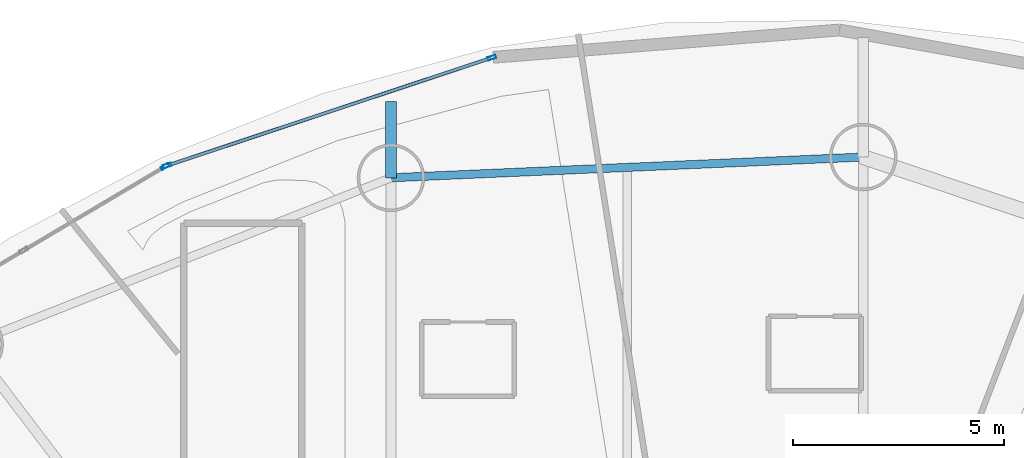
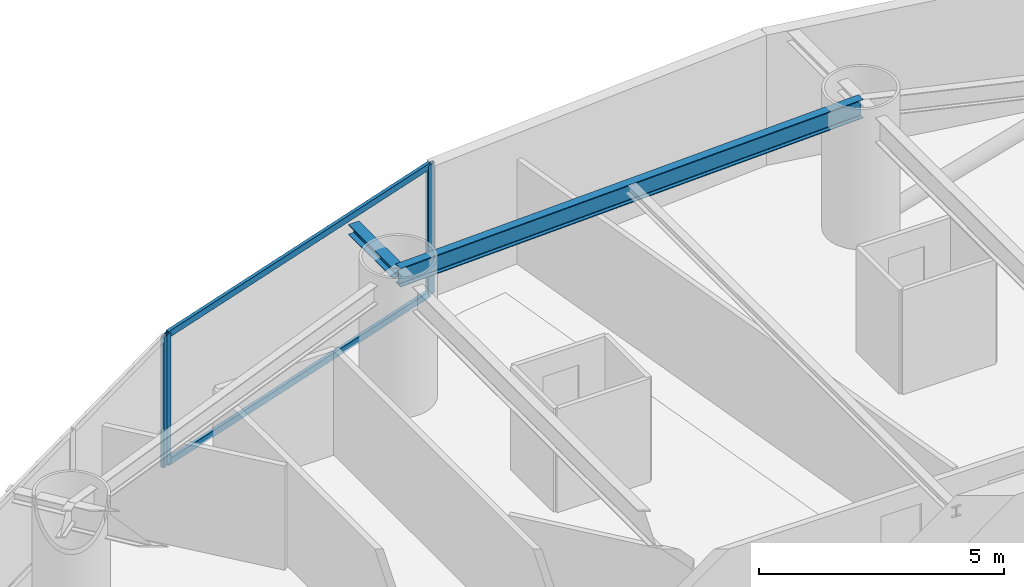
# One storey, part 14 of 25: 5 members, 2 beams, 2 elements without a shape of their own.
"""IFC4 building model written with IfcOpenShell, lengths in metres."""

from ifc_helpers import new_model, si_unit, direction, frame, origin, origin_2d, place, context, subcontext, project, spatial, hollow_rectangle, i_section, extrude, material, layer, layer_set, material_profile, profile_set, type_object, element, aggregate, save


model = new_model("IFC4")

# Units and contexts
model_context = context("Model", 3, precision=1e-05, world=origin(), true_north=direction((0.0, 1.0)))
body_context = subcontext(model_context, "Body", "Model", "MODEL_VIEW")
ifc_project = project(units=[si_unit("LENGTHUNIT", "METRE"), si_unit("AREAUNIT", "SQUARE_METRE"), si_unit("VOLUMEUNIT", "CUBIC_METRE"), si_unit("PLANEANGLEUNIT", "RADIAN"), si_unit("MASSUNIT", "GRAM", prefix="KILO")], contexts=[model_context])

# Site, building, storey
site_placement = place(None, origin())
site = spatial("IfcSite", under=ifc_project, at=site_placement, CompositionType="ELEMENT")
building_placement = place(site_placement, origin())
building = spatial("IfcBuilding", under=site, at=building_placement, Name="Bramvorn Convention Spire", CompositionType="ELEMENT")
storey_placement = place(building_placement, frame((0.0, 0.0, 48.39990234375)))
storey = spatial("IfcBuildingStorey", under=building, at=storey_placement, Name="L09", CompositionType="ELEMENT", Elevation=48.39990234375)

# Beams
ifc_material_1 = material(Name="Steel CSA G40.21 Grade 350 (350W)", Category="steel")
ifc_material_profile_1 = material_profile(ifc_material_1, i_section(OverallWidth=0.25390625, OverallDepth=0.2529296875, WebThickness=0.008544921875, FlangeThickness=0.01416015625, FilletRadius=0.011962890625, at=origin_2d()))
ifc_profile_set_1 = profile_set([ifc_material_profile_1], Name="Steel CSA G40.21 Grade 350 (350W) - W250X73")
beam_type_1 = type_object("IfcBeamType", Name="BM-W250X73", PredefinedType="BEAM", material=ifc_profile_set_1)
beam_1_placement = place(storey_placement, frame((29.76220703125, 46.57666015625, 3.108642578125), z_axis=(0.0, 1.0, 0.0), x_axis=(-1.0, 0.0, 0.0)))
element("IfcBeam", 1, at=beam_1_placement, inside=storey, type_object=beam_type_1, Name="L09 slab-edge cantilever tip beam MC06", PredefinedType="BEAM", context=body_context, shape_type="SweptSolid", body=[
    extrude(i_section(OverallWidth=0.25390625, OverallDepth=0.2529296875, WebThickness=0.008544921875, FlangeThickness=0.01416015625, FilletRadius=0.011962890625, at=origin_2d()), origin(), (0.0, 0.0, 1.0), 1.812744140625),
])
ifc_material_profile_2 = material_profile(ifc_material_1, i_section(OverallWidth=0.194091796875, OverallDepth=0.468994140625, WebThickness=0.0126953125, FlangeThickness=0.0205078125, FilletRadius=0.01806640625, at=origin_2d()))
ifc_profile_set_2 = profile_set([ifc_material_profile_2], Name="Steel CSA G40.21 Grade 350 (350W) - W460X106")
beam_type_2 = type_object("IfcBeamType", Name="BM-W460X106", PredefinedType="SPANDREL", material=ifc_profile_set_2)
beam_2_placement = place(storey_placement, frame((40.9609375, 47.06884765625, 3.015625), z_axis=(-0.999035582762, -0.043907907889, 0.0), x_axis=(0.043907907889, -0.999035582762, 0.0)))
element("IfcBeam", 2, at=beam_2_placement, inside=storey, type_object=beam_type_2, Name="L09 mega-column ring beam 05", PredefinedType="SPANDREL", context=body_context, shape_type="SweptSolid", body=[
    extrude(i_section(OverallWidth=0.194091796875, OverallDepth=0.468994140625, WebThickness=0.0126953125, FlangeThickness=0.0205078125, FilletRadius=0.01806640625, at=origin_2d()), origin(), (0.0, 0.0, 1.0), 11.20947265625),
])

# Curtain wall, members
ifc_material_2 = material(Name="Anodised Bronze Unitised Curtain Wall", Category="aluminium")
ifc_layer = layer(ifc_material_2, 0.179931640625)
ifc_layer_set = layer_set([ifc_layer], Name="Anodised Bronze Unitised Curtain Wall - CW-HTL-FRIT")
curtain_wall_type = type_object("IfcCurtainWallType", Name="CW-HTL-FRIT", PredefinedType="USERDEFINED", material=ifc_layer_set)
curtain_wall_1_placement = place(storey_placement, origin())
curtain_wall_1 = element("IfcCurtainWall", 3, at=curtain_wall_1_placement, inside=storey, type_object=curtain_wall_type, Name="L09 fritted glass curtain wall 08", ObjectType="UNITISED CURTAIN WALL", PredefinedType="USERDEFINED")
ifc_material_3 = material(Name="Anodised Bronze Aluminium 6063-T6", Category="aluminium")
ifc_material_profile_3 = material_profile(ifc_material_3, hollow_rectangle(XDim=0.080078125, YDim=0.199951171875, WallThickness=0.00390625, InnerFilletRadius=0.0009765625, OuterFilletRadius=0.00390625, at=origin_2d()))
ifc_profile_set_3 = profile_set([ifc_material_profile_3], Name="Anodised Bronze Aluminium 6063-T6 - CWM80X200")
member_type_1 = type_object("IfcMemberType", Name="CW-MUL-180", PredefinedType="MULLION", material=ifc_profile_set_3)
member_1_placement = place(storey_placement, frame((24.458740234375, 46.866943359375, 0.0), z_axis=(0.0, 0.0, 1.0), x_axis=(-0.315258290945, 0.949005906194, 0.0)))
member_1 = element("IfcMember", 4, at=member_1_placement, type_object=member_type_1, Name="CW2 mullion 1", PredefinedType="MULLION", context=body_context, shape_type="SweptSolid", body=[
    extrude(hollow_rectangle(XDim=0.080078125, YDim=0.199951171875, WallThickness=0.00390625, InnerFilletRadius=0.0009765625, OuterFilletRadius=0.00390625, at=origin_2d()), origin(), (0.0, 0.0, 1.0), 3.25),
])
member_2_placement = place(storey_placement, frame((32.156005859375, 49.423828125, 0.0), z_axis=(0.0, 0.0, 1.0), x_axis=(-0.315258290945, 0.949005906194, 0.0)))
member_2 = element("IfcMember", 5, at=member_2_placement, type_object=member_type_1, Name="CW2 mullion 2", PredefinedType="MULLION", context=body_context, shape_type="SweptSolid", body=[
    extrude(hollow_rectangle(XDim=0.080078125, YDim=0.199951171875, WallThickness=0.00390625, InnerFilletRadius=0.0009765625, OuterFilletRadius=0.00390625, at=origin_2d()), origin(), (0.0, 0.0, 1.0), 3.25),
])

# Curtain wall, member
curtain_wall_2_placement = place(storey_placement, origin())
curtain_wall_2 = element("IfcCurtainWall", 6, at=curtain_wall_2_placement, inside=storey, type_object=curtain_wall_type, Name="L09 fritted glass curtain wall 09", ObjectType="UNITISED CURTAIN WALL", PredefinedType="USERDEFINED")
member_3_placement = place(storey_placement, frame((24.404541015625, 46.842041015625, 0.0), z_axis=(0.0, 0.0, 1.0), x_axis=(-0.510048005962, 0.860145936231, 0.0)))
member_3 = element("IfcMember", 7, at=member_3_placement, type_object=member_type_1, Name="CW2 mullion 3", PredefinedType="MULLION", context=body_context, shape_type="SweptSolid", body=[
    extrude(hollow_rectangle(XDim=0.080078125, YDim=0.199951171875, WallThickness=0.00390625, InnerFilletRadius=0.0009765625, OuterFilletRadius=0.00390625, at=origin_2d()), origin(), (0.0, 0.0, 1.0), 3.25),
])
aggregate(curtain_wall_2, [member_3])

# Member
ifc_material_profile_4 = material_profile(ifc_material_3, hollow_rectangle(XDim=0.080078125, YDim=0.159912109375, WallThickness=0.00390625, InnerFilletRadius=0.0009765625, OuterFilletRadius=0.00390625, at=origin_2d()))
ifc_profile_set_4 = profile_set([ifc_material_profile_4], Name="Anodised Bronze Aluminium 6063-T6 - CWT80X160")
member_type_2 = type_object("IfcMemberType", Name="CW-TRN-150", PredefinedType="USERDEFINED", material=ifc_profile_set_4)
member_4_placement = place(storey_placement, frame((24.4873046875, 46.876220703125, 0.030029296875), z_axis=(0.949004257557, 0.315263253709, 0.0), x_axis=(-0.315263253709, 0.949004257557, 0.0)))
member_4 = element("IfcMember", 8, at=member_4_placement, type_object=member_type_2, Name="CW2 transom 1.1", ObjectType="TRANSOM", PredefinedType="USERDEFINED", context=body_context, shape_type="SweptSolid", body=[
    extrude(hollow_rectangle(XDim=0.080078125, YDim=0.159912109375, WallThickness=0.00390625, InnerFilletRadius=0.0009765625, OuterFilletRadius=0.00390625, at=origin_2d()), origin(), (0.0, 0.0, 1.0), 8.05078125),
])

member_5_placement = place(storey_placement, frame((24.4873046875, 46.876220703125, 3.22021484375), z_axis=(0.949004257557, 0.315263253709, 0.0), x_axis=(-0.315263253709, 0.949004257557, 0.0)))
member_5 = element("IfcMember", 9, at=member_5_placement, type_object=member_type_2, Name="CW2 transom 1.2", ObjectType="TRANSOM", PredefinedType="USERDEFINED", context=body_context, shape_type="SweptSolid", body=[
    extrude(hollow_rectangle(XDim=0.080078125, YDim=0.159912109375, WallThickness=0.00390625, InnerFilletRadius=0.0009765625, OuterFilletRadius=0.00390625, at=origin_2d()), origin(), (0.0, 0.0, 1.0), 8.05078125),
])

aggregate(curtain_wall_1, [member_1, member_2, member_4, member_5])

save(model, "model.ifc")
